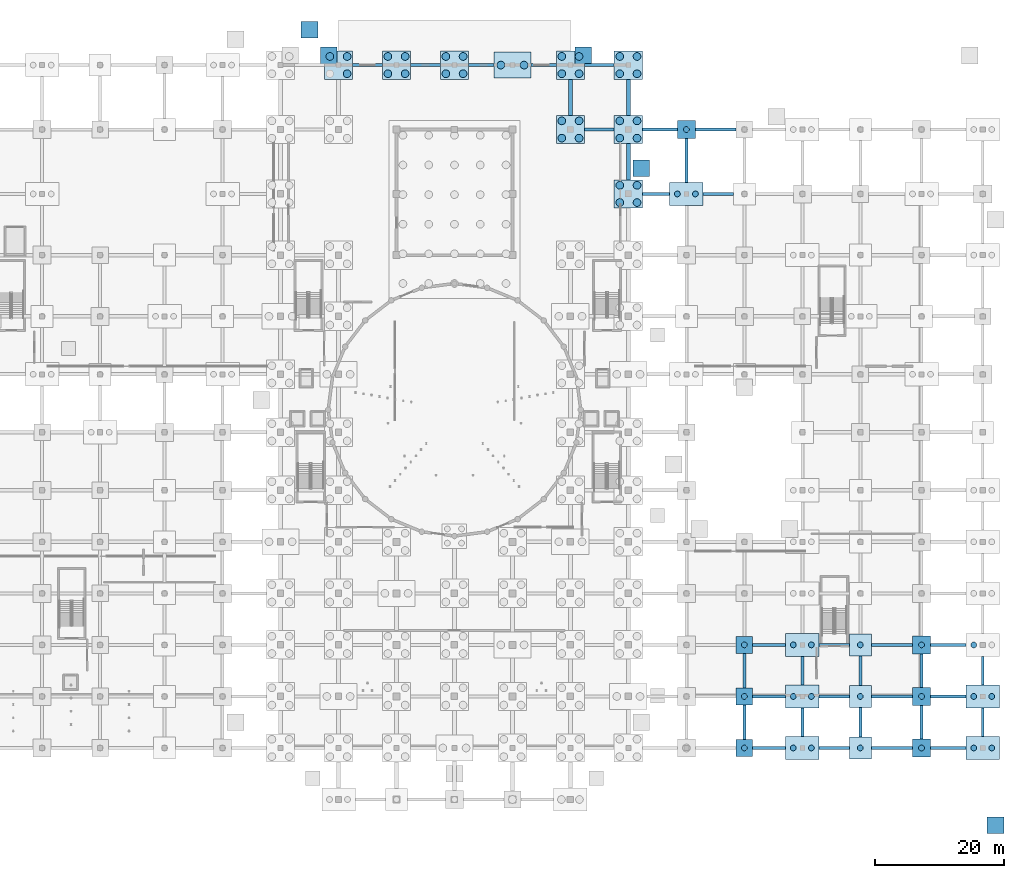
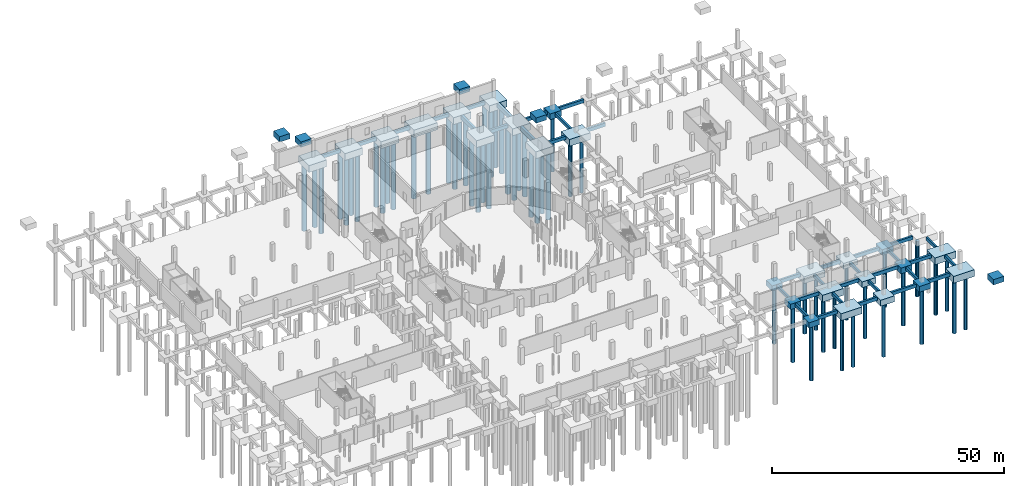
# One storey, part 8 of 40: 66 footings, 56 piles.
"""IFC4 building model written with IfcOpenShell, lengths in metres."""

import ifcopenshell
import ifcopenshell.guid

model = None  # the IFC model being written
_history = None  # IfcOwnerHistory: only IFC2X3 demands one
_inside = {}  # id of a spatial element -> (the spatial element, [elements in it])
_under = {}  # id of a project, library or spatial element -> (it, [spatial elements below it])
_declared = {}  # id of a project -> (the project, [libraries it declares])
_typed = {}  # id of a type object -> (the type object, [elements of that type])
_made_of = {}  # id of a material, layer set ... -> (it, [elements and type objects made of it])


def new_model(schema):
    """Start an empty IFC model of exactly this schema.

    Asked for "IFC4X3", IfcOpenShell would pick the latest addendum, in which some entities
    have other attributes; the version numbers below select the first issue.
    IFC2X3 requires an IfcOwnerHistory on every rooted entity: one is made here for all.
    """
    global model, _history
    if schema == "IFC4X3":
        model = ifcopenshell.file(schema_version=(4, 3, 0, 0))
    else:
        model = ifcopenshell.file(schema=schema)
    _inside.clear()
    _under.clear()
    _declared.clear()
    _typed.clear()
    _made_of.clear()
    _history = None
    if model.schema == "IFC2X3":
        org = make("IfcOrganization", Name="unknown")
        user = make(
            "IfcPersonAndOrganization",
            ThePerson=make("IfcPerson", FamilyName="unknown"),
            TheOrganization=org,
        )
        app = make(
            "IfcApplication",
            ApplicationDeveloper=org,
            Version="unknown",
            ApplicationFullName="unknown",
            ApplicationIdentifier="unknown",
        )
        _history = make(
            "IfcOwnerHistory",
            OwningUser=user,
            OwningApplication=app,
            ChangeAction="ADDED",
            CreationDate=0,
        )
    return model


def make(cls, **values):
    """One entity of the class cls with the attributes given. An attribute that is None is left unset."""
    return model.create_entity(
        cls, **{name: value for name, value in values.items() if value is not None}
    )


def rooted(cls, **values):
    """An entity with a GlobalId (a new one), such as an element, a storey or a relation."""
    return make(cls, GlobalId=ifcopenshell.guid.new(), OwnerHistory=_history, **values)


def si_unit(unit_type, name, prefix=None):
    """IfcSIUnit, for example si_unit("LENGTHUNIT", "METRE", prefix="MILLI")."""
    return make("IfcSIUnit", UnitType=unit_type, Prefix=prefix, Name=name)


def assignment(units):
    """IfcUnitAssignment: the units of a project."""
    return None if units is None else make("IfcUnitAssignment", Units=units)


def point(xyz):
    """IfcCartesianPoint."""
    return None if xyz is None else make("IfcCartesianPoint", Coordinates=xyz)


def direction(xyz):
    """IfcDirection."""
    return None if xyz is None else make("IfcDirection", DirectionRatios=xyz)


def frame(location, z_axis=None, x_axis=None):
    """IfcAxis2Placement3D, a coordinate frame: its origin and axes. An axis left out is left unset."""
    return make(
        "IfcAxis2Placement3D",
        Location=point(location),
        Axis=direction(z_axis),
        RefDirection=direction(x_axis),
    )


def frame_2d(location, x_axis=None):
    """IfcAxis2Placement2D, a coordinate frame in the plane: its origin and x axis."""
    return make(
        "IfcAxis2Placement2D", Location=point(location), RefDirection=direction(x_axis)
    )


def origin():
    """The frame at (0, 0, 0) with its axes left unset."""
    return frame((0.0, 0.0, 0.0))


def origin_2d():
    """The frame at (0, 0) in the plane with its x axis left unset."""
    return frame_2d((0.0, 0.0))


def place(relative_to, where):
    """IfcLocalPlacement: puts the frame where relative to a parent placement (None: the world)."""
    return make(
        "IfcLocalPlacement", PlacementRelTo=relative_to, RelativePlacement=where
    )


def context(
    kind, dimensions, precision=None, world=None, true_north=None, identifier=None
):
    """IfcGeometricRepresentationContext, for example the 3D "Model" context."""
    return make(
        "IfcGeometricRepresentationContext",
        ContextIdentifier=identifier,
        ContextType=kind,
        CoordinateSpaceDimension=dimensions,
        Precision=precision,
        WorldCoordinateSystem=world,
        TrueNorth=true_north,
    )


def subcontext(parent, identifier, kind, view, scale=None):
    """IfcGeometricRepresentationSubContext, for example "Body" below "Model"."""
    return make(
        "IfcGeometricRepresentationSubContext",
        ContextIdentifier=identifier,
        ContextType=kind,
        ParentContext=parent,
        TargetScale=scale,
        TargetView=view,
    )


def project(units=None, contexts=None):
    """IfcProject with its units and contexts."""
    return rooted(
        "IfcProject",
        Name="project",
        RepresentationContexts=contexts,
        UnitsInContext=assignment(units),
    )


def spatial(cls, under=None, at=None, **own):
    """A site, building, storey or space (cls), placed at a placement, below another one or the project."""
    s = rooted(cls, ObjectPlacement=at, **own)
    if under is not None:
        _under.setdefault(under.id(), (under, []))[1].append(s)
    return s


def profile(cls, at=None, kind="AREA", **sizes):
    """A parametric profile (cls). Its sizes go by their IFC names, for example OverallWidth=200.0."""
    return make(cls, ProfileType=kind, Position=at, **sizes)


def rectangle(**sizes):
    """IfcRectangleProfileDef."""
    return profile("IfcRectangleProfileDef", **sizes)


def circle(**sizes):
    """IfcCircleProfileDef."""
    return profile("IfcCircleProfileDef", **sizes)


def extrude(swept, where, along, depth):
    """IfcExtrudedAreaSolid: the profile swept, set in the frame where, extruded along a direction by depth."""
    return make(
        "IfcExtrudedAreaSolid",
        SweptArea=swept,
        Position=where,
        ExtrudedDirection=direction(along),
        Depth=depth,
    )


def shape(context_of_items, identifier, shape_type, items):
    """IfcShapeRepresentation: the items that make up one representation, for example the "Body"."""
    return make(
        "IfcShapeRepresentation",
        ContextOfItems=context_of_items,
        RepresentationIdentifier=identifier,
        RepresentationType=shape_type,
        Items=items,
    )


def material(Name=None, Category=None):
    """IfcMaterial."""
    return make("IfcMaterial", Name=Name, Category=Category)


def layer(
    of_material, thickness, ventilated=None, Name=None, Category=None, Priority=None
):
    """IfcMaterialLayer: one layer of a wall or slab, of a material (None: an air gap)."""
    return make(
        "IfcMaterialLayer",
        Material=of_material,
        LayerThickness=thickness,
        IsVentilated=ventilated,
        Name=Name,
        Category=Category,
        Priority=Priority,
    )


def layer_set(layers, Name=None):
    """IfcMaterialLayerSet."""
    return make("IfcMaterialLayerSet", MaterialLayers=layers, LayerSetName=Name)


def material_profile(
    of_material, cross_section, Name=None, Category=None, Priority=None
):
    """IfcMaterialProfile: a cross section and its material."""
    return make(
        "IfcMaterialProfile",
        Name=Name,
        Material=of_material,
        Profile=cross_section,
        Priority=Priority,
        Category=Category,
    )


def profile_set(profiles, Name=None, composite=None):
    """IfcMaterialProfileSet."""
    return make(
        "IfcMaterialProfileSet",
        Name=Name,
        MaterialProfiles=profiles,
        CompositeProfile=composite,
    )


def made_of(thing, what):
    """Note that an element or type object is made of a material, layer set ...; save() writes the relation."""
    if what is not None:
        _made_of.setdefault(what.id(), (what, []))[1].append(thing)
    return thing


def type_object(cls, material=None, **own):
    """A type object (cls), such as IfcWallType, which elements share."""
    return made_of(rooted(cls, **own), material)


def element(
    cls,
    number,
    at=None,
    inside=None,
    cuts=None,
    type_object=None,
    material=None,
    context=None,
    identifier="Body",
    shape_type=None,
    held_by="IfcProductDefinitionShape",
    body=None,
    shapes=None,
    **own,
):
    """One element of the class cls, such as IfcWall. Its Tag is "e" and its number.

    at: its placement. inside: the storey or other place that contains it. cuts: it is an
    opening in that element (IfcRelVoidsElement). A single representation is given by context,
    identifier, shape_type and body (its items); several are given by shapes. held_by: the class
    of the entity that holds the representations. save() writes the other relations.
    """
    e = rooted(cls, Tag="e%d" % number, ObjectPlacement=at, **own)
    if body is not None:
        shapes = [shape(context, identifier, shape_type, body)]
    if shapes is not None:
        e.Representation = make(held_by, Representations=shapes)
    if inside is not None:
        _inside.setdefault(inside.id(), (inside, []))[1].append(e)
    if cuts is not None:
        rooted(
            "IfcRelVoidsElement", RelatingBuildingElement=cuts, RelatedOpeningElement=e
        )
    if type_object is not None:
        _typed.setdefault(type_object.id(), (type_object, []))[1].append(e)
    return made_of(e, material)


def aggregate(whole, parts):
    """IfcRelAggregates: a whole, such as a stair, and the parts it consists of."""
    return rooted("IfcRelAggregates", RelatingObject=whole, RelatedObjects=parts)


def save(model, path):
    """Write the relations noted so far, then the file.

    IfcRelAggregates (storeys below a building ...), IfcRelContainedInSpatialStructure (elements
    in a storey), IfcRelDefinesByType, IfcRelAssociatesMaterial and IfcRelDeclares: one each for
    every whole, place, type object, material and project.
    """
    for whole, parts in _under.values():
        aggregate(whole, parts)
    for where, things in _inside.values():
        rooted(
            "IfcRelContainedInSpatialStructure",
            RelatedElements=things,
            RelatingStructure=where,
        )
    for kind, things in _typed.values():
        rooted("IfcRelDefinesByType", RelatedObjects=things, RelatingType=kind)
    for what, things in _made_of.values():
        rooted("IfcRelAssociatesMaterial", RelatedObjects=things, RelatingMaterial=what)
    for by, libraries in _declared.values():
        rooted("IfcRelDeclares", RelatingContext=by, RelatedDefinitions=libraries)
    model.write(path)


model = new_model("IFC4")

# Units and contexts
model_context = context("Model", 3, precision=1e-05, world=origin(), true_north=direction((0.0, 1.0)))
body_context = subcontext(model_context, "Body", "Model", "MODEL_VIEW")
ifc_project = project(units=[si_unit("LENGTHUNIT", "METRE"), si_unit("AREAUNIT", "SQUARE_METRE"), si_unit("VOLUMEUNIT", "CUBIC_METRE"), si_unit("PLANEANGLEUNIT", "RADIAN"), si_unit("MASSUNIT", "GRAM", prefix="KILO")], contexts=[model_context])

# Site, building, storey
site_placement = place(None, origin())
site = spatial("IfcSite", under=ifc_project, at=site_placement, CompositionType="ELEMENT")
building_placement = place(site_placement, origin())
building = spatial("IfcBuilding", under=site, at=building_placement, Name="Marnock Terrace Opera House", CompositionType="ELEMENT")
storey_placement = place(building_placement, frame((0.0, 0.0, -4.800048828125)))
storey = spatial("IfcBuildingStorey", under=building, at=storey_placement, Name="B1", CompositionType="ELEMENT", Elevation=-4.800048828125)

# Footings
ifc_material = material(Name="Concrete N40 (f'c = 40 MPa)", Category="concrete")
ifc_layer_1 = layer(ifc_material, 1.39990234375)
ifc_layer_set_1 = layer_set([ifc_layer_1], Name="Concrete N40 (f'c = 40 MPa)")
footing_type_1 = type_object("IfcFootingType", Name="FT-CAP-2600", PredefinedType="PILE_CAP", material=ifc_layer_set_1)
for number, where, z_axis, x_axis, name in (
    (1, (127.0, 8.0, -1.7998046875), (0.0, 0.0, 1.0), (1.0, 0.0, 0.0), "Pile cap FT-CAP-161"),
    (2, (127.0, 16.0, -1.7998046875), (0.0, 0.0, 1.0), (1.0, 0.0, 0.0), "Pile cap FT-CAP-162"),
    (3, (127.0, 24.0, -1.7998046875), (0.0, 0.0, 1.0), (1.0, 0.0, 0.0), "Pile cap FT-CAP-163"),
):
    element("IfcFooting", number, at=place(storey_placement, frame(where, z_axis=z_axis, x_axis=x_axis)), inside=storey, type_object=footing_type_1, Name=name, PredefinedType="PILE_CAP", context=body_context, shape_type="SweptSolid", body=[
        extrude(rectangle(XDim=2.60009765625, YDim=2.60009765625, at=origin_2d()), origin(), (0.0, 0.0, 1.0), 1.39990234375),
    ])
ifc_layer_2 = layer(ifc_material, 1.5)
ifc_layer_set_2 = layer_set([ifc_layer_2], Name="Concrete N40 (f'c = 40 MPa)")
footing_type_2 = type_object("IfcFootingType", Name="FT-CAP-2800", PredefinedType="PILE_CAP", material=ifc_layer_set_2)
for number, where, z_axis, x_axis, name in (
    (4, (118.0, 104.0, -1.89990234375), (0.0, 0.0, 1.0), (1.0, 0.0, 0.0), "Pile cap FT-CAP-160"),
    (5, (154.5, 8.0, -1.89990234375), (0.0, 0.0, 1.0), (1.0, 0.0, 0.0), "Pile cap FT-CAP-195"),
    (6, (154.5, 16.0, -1.89990234375), (0.0, 0.0, 1.0), (1.0, 0.0, 0.0), "Pile cap FT-CAP-196"),
    (7, (154.5, 24.0, -1.89990234375), (0.0, 0.0, 1.0), (1.0, 0.0, 0.0), "Pile cap FT-CAP-197"),
):
    element("IfcFooting", number, at=place(storey_placement, frame(where, z_axis=z_axis, x_axis=x_axis)), inside=storey, type_object=footing_type_2, Name=name, PredefinedType="PILE_CAP", context=body_context, shape_type="SweptSolid", body=[
        extrude(rectangle(XDim=2.800048828125, YDim=2.800048828125, at=origin_2d()), origin(), (0.0, 0.0, 1.0), 1.5),
    ])
ifc_layer_3 = layer(ifc_material, 1.550048828125)
ifc_layer_set_3 = layer_set([ifc_layer_3], Name="Concrete N40 (f'c = 40 MPa)")
footing_type_3 = type_object("IfcFootingType", Name="FT-CAP-3400", PredefinedType="PILE_CAP", material=ifc_layer_set_3)
for number, where, z_axis, x_axis, name in (
    (8, (145.0, 8.0, -1.9501953125), (0.0, 0.0, 1.0), (1.0, 0.0, 0.0), "Pile cap FT-CAP-183"),
    (9, (145.0, 16.0, -1.9501953125), (0.0, 0.0, 1.0), (1.0, 0.0, 0.0), "Pile cap FT-CAP-184"),
    (10, (145.0, 24.0, -1.9501953125), (0.0, 0.0, 1.0), (1.0, 0.0, 0.0), "Pile cap FT-CAP-185"),
):
    element("IfcFooting", number, at=place(storey_placement, frame(where, z_axis=z_axis, x_axis=x_axis)), inside=storey, type_object=footing_type_3, Name=name, PredefinedType="PILE_CAP", context=body_context, shape_type="SweptSolid", body=[
        extrude(rectangle(XDim=3.39990234375, YDim=3.39990234375, at=origin_2d()), origin(), (0.0, 0.0, 1.0), 1.550048828125),
    ])
ifc_layer_4 = layer(ifc_material, 1.800048828125)
ifc_layer_set_4 = layer_set([ifc_layer_4], Name="Concrete N40 (f'c = 40 MPa)")
footing_type_4 = type_object("IfcFootingType", Name="FT-CAP-4400", PredefinedType="PILE_CAP", material=ifc_layer_set_4)
for number, where, z_axis, x_axis, name in (
    (11, (64.0, 114.0, -2.2001953125), (0.0, 0.0, 1.0), (1.0, 0.0, 0.0), "Pile cap FT-CAP-102"),
    (12, (73.0, 114.0, -2.2001953125), (0.0, 0.0, 1.0), (1.0, 0.0, 0.0), "Pile cap FT-CAP-109"),
    (13, (82.0, 114.0, -2.2001953125), (0.0, 0.0, 1.0), (1.0, 0.0, 0.0), "Pile cap FT-CAP-115"),
    (14, (100.0, 104.0, -2.2001953125), (0.0, 0.0, 1.0), (1.0, 0.0, 0.0), "Pile cap FT-CAP-134"),
    (15, (100.0, 114.0, -2.2001953125), (0.0, 0.0, 1.0), (1.0, 0.0, 0.0), "Pile cap FT-CAP-135"),
    (16, (109.0, 94.0, -2.2001953125), (0.0, 0.0, 1.0), (1.0, 0.0, 0.0), "Pile cap FT-CAP-146"),
    (17, (109.0, 104.0, -2.2001953125), (0.0, 0.0, 1.0), (1.0, 0.0, 0.0), "Pile cap FT-CAP-147"),
    (18, (109.0, 114.0, -2.2001953125), (0.0, 0.0, 1.0), (1.0, 0.0, 0.0), "Pile cap FT-CAP-148"),
):
    element("IfcFooting", number, at=place(storey_placement, frame(where, z_axis=z_axis, x_axis=x_axis)), inside=storey, type_object=footing_type_4, Name=name, PredefinedType="PILE_CAP", context=body_context, shape_type="SweptSolid", body=[
        extrude(rectangle(XDim=4.39990234375, YDim=4.39990234375, at=origin_2d()), origin(), (0.0, 0.0, 1.0), 1.800048828125),
    ])
ifc_layer_5 = layer(ifc_material, 1.800048828125)
ifc_layer_set_5 = layer_set([ifc_layer_5], Name="Concrete N40 (f'c = 40 MPa)")
footing_type_5 = type_object("IfcFootingType", Name="FT-CAP-5200", PredefinedType="PILE_CAP", material=ifc_layer_set_5)
for number, where, z_axis, x_axis, name in (
    (19, (118.0, 94.0, -2.2001953125), (0.0, 0.0, 1.0), (1.0, 0.0, 0.0), "Pile cap FT-CAP-159"),
    (20, (136.0, 8.0, -2.2001953125), (0.0, 0.0, 1.0), (1.0, 0.0, 0.0), "Pile cap FT-CAP-171"),
    (21, (136.0, 16.0, -2.2001953125), (0.0, 0.0, 1.0), (1.0, 0.0, 0.0), "Pile cap FT-CAP-172"),
    (22, (136.0, 24.0, -2.2001953125), (0.0, 0.0, 1.0), (1.0, 0.0, 0.0), "Pile cap FT-CAP-173"),
    (23, (164.0, 8.0, -2.2001953125), (0.0, 0.0, 1.0), (1.0, 0.0, 0.0), "Pile cap FT-CAP-207"),
    (24, (164.0, 16.0, -2.2001953125), (0.0, 0.0, 1.0), (1.0, 0.0, 0.0), "Pile cap FT-CAP-208"),
):
    element("IfcFooting", number, at=place(storey_placement, frame(where, z_axis=z_axis, x_axis=x_axis)), inside=storey, type_object=footing_type_5, Name=name, PredefinedType="PILE_CAP", context=body_context, shape_type="SweptSolid", body=[
        extrude(rectangle(XDim=5.199951171875, YDim=3.60009765625, at=origin_2d()), origin(), (0.0, 0.0, 1.0), 1.800048828125),
    ])
ifc_layer_6 = layer(ifc_material, 1.89990234375)
ifc_layer_set_6 = layer_set([ifc_layer_6], Name="Concrete N40 (f'c = 40 MPa)")
footing_type_6 = type_object("IfcFootingType", Name="FT-CAP-5800", PredefinedType="PILE_CAP", material=ifc_layer_set_6)
footing_1_placement = place(storey_placement, frame((91.0, 114.0, -2.2998046875), z_axis=(0.0, 0.0, 1.0), x_axis=(1.0, 0.0, 0.0)))
element("IfcFooting", 25, at=footing_1_placement, inside=storey, type_object=footing_type_6, Name="Pile cap FT-CAP-122", PredefinedType="PILE_CAP", context=body_context, shape_type="SweptSolid", body=[
    extrude(rectangle(XDim=5.800048828125, YDim=4.0, at=origin_2d()), origin(), (0.0, 0.0, 1.0), 1.89990234375),
])
ifc_material_profile_1 = material_profile(ifc_material, rectangle(XDim=0.449951171875, YDim=0.800048828125, at=origin_2d()))
ifc_profile_set_1 = profile_set([ifc_material_profile_1], Name="Concrete N40 (f'c = 40 MPa)")
footing_type_7 = type_object("IfcFootingType", Name="FT-GB-450", PredefinedType="FOOTING_BEAM", material=ifc_profile_set_1)
footing_2_placement = place(storey_placement, frame((118.0, 95.800048828125, -0.949951171875), z_axis=(0.0, 1.0, 0.0), x_axis=(-1.0, 0.0, 0.0)))
element("IfcFooting", 26, at=footing_2_placement, inside=storey, type_object=footing_type_7, Name="Ground tie beam Y-140", PredefinedType="FOOTING_BEAM", context=body_context, shape_type="SweptSolid", body=[
    extrude(rectangle(XDim=0.449951171875, YDim=0.800048828125, at=origin_2d()), origin(), (0.0, 0.0, 1.0), 6.800048828125),
])
for number, where, z_axis, x_axis, name in (
    (27, (127.0, 9.300048828125, -0.949951171875), (0.0, 1.0, 0.0), (-1.0, 0.0, 0.0), "Ground tie beam Y-141"),
    (28, (127.0, 17.300048828125, -0.949951171875), (0.0, 1.0, 0.0), (-1.0, 0.0, 0.0), "Ground tie beam Y-142"),
):
    element("IfcFooting", number, at=place(storey_placement, frame(where, z_axis=z_axis, x_axis=x_axis)), inside=storey, type_object=footing_type_7, Name=name, PredefinedType="FOOTING_BEAM", context=body_context, shape_type="SweptSolid", body=[
        extrude(rectangle(XDim=0.449951171875, YDim=0.800048828125, at=origin_2d()), origin(), (0.0, 0.0, 1.0), 5.39990234375),
    ])
for number, where, z_axis, x_axis, name in (
    (29, (136.0, 9.800048828125, -0.949951171875), (0.0, 1.0, 0.0), (-1.0, 0.0, 0.0), "Ground tie beam Y-149"),
    (30, (136.0, 17.800048828125, -0.949951171875), (0.0, 1.0, 0.0), (-1.0, 0.0, 0.0), "Ground tie beam Y-150"),
):
    element("IfcFooting", number, at=place(storey_placement, frame(where, z_axis=z_axis, x_axis=x_axis)), inside=storey, type_object=footing_type_7, Name=name, PredefinedType="FOOTING_BEAM", context=body_context, shape_type="SweptSolid", body=[
        extrude(rectangle(XDim=0.449951171875, YDim=0.800048828125, at=origin_2d()), origin(), (0.0, 0.0, 1.0), 4.39990234375),
    ])
for number, where, z_axis, x_axis, name in (
    (31, (145.0, 9.699951171875, -0.949951171875), (0.0, 1.0, 0.0), (-1.0, 0.0, 0.0), "Ground tie beam Y-160"),
    (32, (145.0, 17.699951171875, -0.949951171875), (0.0, 1.0, 0.0), (-1.0, 0.0, 0.0), "Ground tie beam Y-161"),
):
    element("IfcFooting", number, at=place(storey_placement, frame(where, z_axis=z_axis, x_axis=x_axis)), inside=storey, type_object=footing_type_7, Name=name, PredefinedType="FOOTING_BEAM", context=body_context, shape_type="SweptSolid", body=[
        extrude(rectangle(XDim=0.449951171875, YDim=0.800048828125, at=origin_2d()), origin(), (0.0, 0.0, 1.0), 4.60009765625),
    ])
for number, where, z_axis, x_axis, name in (
    (33, (154.5, 9.39990234375, -0.949951171875), (0.0, 1.0, 0.0), (-1.0, 0.0, 0.0), "Ground tie beam Y-171"),
    (34, (154.5, 17.39990234375, -0.949951171875), (0.0, 1.0, 0.0), (-1.0, 0.0, 0.0), "Ground tie beam Y-172"),
):
    element("IfcFooting", number, at=place(storey_placement, frame(where, z_axis=z_axis, x_axis=x_axis)), inside=storey, type_object=footing_type_7, Name=name, PredefinedType="FOOTING_BEAM", context=body_context, shape_type="SweptSolid", body=[
        extrude(rectangle(XDim=0.449951171875, YDim=0.800048828125, at=origin_2d()), origin(), (0.0, 0.0, 1.0), 5.2001953125),
    ])
for number, where, z_axis, x_axis, name in (
    (35, (164.0, 9.800048828125, -0.949951171875), (0.0, 1.0, 0.0), (-1.0, 0.0, 0.0), "Ground tie beam Y-182"),
    (36, (164.0, 17.800048828125, -0.949951171875), (0.0, 1.0, 0.0), (-1.0, 0.0, 0.0), "Ground tie beam Y-183"),
):
    element("IfcFooting", number, at=place(storey_placement, frame(where, z_axis=z_axis, x_axis=x_axis)), inside=storey, type_object=footing_type_7, Name=name, PredefinedType="FOOTING_BEAM", context=body_context, shape_type="SweptSolid", body=[
        extrude(rectangle(XDim=0.449951171875, YDim=0.800048828125, at=origin_2d()), origin(), (0.0, 0.0, 1.0), 4.39990234375),
    ])
ifc_material_profile_2 = material_profile(ifc_material, rectangle(XDim=0.5, YDim=0.89990234375, at=origin_2d()))
ifc_profile_set_2 = profile_set([ifc_material_profile_2], Name="Concrete N40 (f'c = 40 MPa)")
footing_type_8 = type_object("IfcFootingType", Name="FT-GB-500", PredefinedType="FOOTING_BEAM", material=ifc_profile_set_2)
footing_3_placement = place(storey_placement, frame((128.300048828125, 8.0, -0.849853515625), z_axis=(1.0, 0.0, 0.0), x_axis=(0.0, 1.0, 0.0)))
element("IfcFooting", 37, at=footing_3_placement, inside=storey, type_object=footing_type_8, Name="Ground tie beam X-211", PredefinedType="FOOTING_BEAM", context=body_context, shape_type="SweptSolid", body=[
    extrude(rectangle(XDim=0.5, YDim=0.89990234375, at=origin_2d()), origin(), (0.0, 0.0, 1.0), 5.099853515625),
])
footing_4_placement = place(storey_placement, frame((138.60009765625, 8.0, -0.849853515625), z_axis=(1.0, 0.0, 0.0), x_axis=(0.0, 1.0, 0.0)))
element("IfcFooting", 38, at=footing_4_placement, inside=storey, type_object=footing_type_8, Name="Ground tie beam X-212", PredefinedType="FOOTING_BEAM", context=body_context, shape_type="SweptSolid", body=[
    extrude(rectangle(XDim=0.5, YDim=0.89990234375, at=origin_2d()), origin(), (0.0, 0.0, 1.0), 4.699951171875),
])
footing_5_placement = place(storey_placement, frame((146.699951171875, 8.0, -0.849853515625), z_axis=(1.0, 0.0, 0.0), x_axis=(0.0, 1.0, 0.0)))
element("IfcFooting", 39, at=footing_5_placement, inside=storey, type_object=footing_type_8, Name="Ground tie beam X-213", PredefinedType="FOOTING_BEAM", context=body_context, shape_type="SweptSolid", body=[
    extrude(rectangle(XDim=0.5, YDim=0.89990234375, at=origin_2d()), origin(), (0.0, 0.0, 1.0), 6.400146484375),
])
footing_6_placement = place(storey_placement, frame((155.89990234375, 8.0, -0.849853515625), z_axis=(1.0, 0.0, 0.0), x_axis=(0.0, 1.0, 0.0)))
element("IfcFooting", 40, at=footing_6_placement, inside=storey, type_object=footing_type_8, Name="Ground tie beam X-214", PredefinedType="FOOTING_BEAM", context=body_context, shape_type="SweptSolid", body=[
    extrude(rectangle(XDim=0.5, YDim=0.89990234375, at=origin_2d()), origin(), (0.0, 0.0, 1.0), 5.5),
])
footing_7_placement = place(storey_placement, frame((128.300048828125, 16.0, -0.849853515625), z_axis=(1.0, 0.0, 0.0), x_axis=(0.0, 1.0, 0.0)))
element("IfcFooting", 41, at=footing_7_placement, inside=storey, type_object=footing_type_8, Name="Ground tie beam X-229", PredefinedType="FOOTING_BEAM", context=body_context, shape_type="SweptSolid", body=[
    extrude(rectangle(XDim=0.5, YDim=0.89990234375, at=origin_2d()), origin(), (0.0, 0.0, 1.0), 5.099853515625),
])
footing_8_placement = place(storey_placement, frame((138.60009765625, 16.0, -0.849853515625), z_axis=(1.0, 0.0, 0.0), x_axis=(0.0, 1.0, 0.0)))
element("IfcFooting", 42, at=footing_8_placement, inside=storey, type_object=footing_type_8, Name="Ground tie beam X-230", PredefinedType="FOOTING_BEAM", context=body_context, shape_type="SweptSolid", body=[
    extrude(rectangle(XDim=0.5, YDim=0.89990234375, at=origin_2d()), origin(), (0.0, 0.0, 1.0), 4.699951171875),
])
footing_9_placement = place(storey_placement, frame((146.699951171875, 16.0, -0.849853515625), z_axis=(1.0, 0.0, 0.0), x_axis=(0.0, 1.0, 0.0)))
element("IfcFooting", 43, at=footing_9_placement, inside=storey, type_object=footing_type_8, Name="Ground tie beam X-231", PredefinedType="FOOTING_BEAM", context=body_context, shape_type="SweptSolid", body=[
    extrude(rectangle(XDim=0.5, YDim=0.89990234375, at=origin_2d()), origin(), (0.0, 0.0, 1.0), 6.400146484375),
])
footing_10_placement = place(storey_placement, frame((155.89990234375, 16.0, -0.849853515625), z_axis=(1.0, 0.0, 0.0), x_axis=(0.0, 1.0, 0.0)))
element("IfcFooting", 44, at=footing_10_placement, inside=storey, type_object=footing_type_8, Name="Ground tie beam X-232", PredefinedType="FOOTING_BEAM", context=body_context, shape_type="SweptSolid", body=[
    extrude(rectangle(XDim=0.5, YDim=0.89990234375, at=origin_2d()), origin(), (0.0, 0.0, 1.0), 5.5),
])
footing_11_placement = place(storey_placement, frame((128.300048828125, 24.0, -0.849853515625), z_axis=(1.0, 0.0, 0.0), x_axis=(0.0, 1.0, 0.0)))
element("IfcFooting", 45, at=footing_11_placement, inside=storey, type_object=footing_type_8, Name="Ground tie beam X-247", PredefinedType="FOOTING_BEAM", context=body_context, shape_type="SweptSolid", body=[
    extrude(rectangle(XDim=0.5, YDim=0.89990234375, at=origin_2d()), origin(), (0.0, 0.0, 1.0), 5.099853515625),
])
footing_12_placement = place(storey_placement, frame((138.60009765625, 24.0, -0.849853515625), z_axis=(1.0, 0.0, 0.0), x_axis=(0.0, 1.0, 0.0)))
element("IfcFooting", 46, at=footing_12_placement, inside=storey, type_object=footing_type_8, Name="Ground tie beam X-248", PredefinedType="FOOTING_BEAM", context=body_context, shape_type="SweptSolid", body=[
    extrude(rectangle(XDim=0.5, YDim=0.89990234375, at=origin_2d()), origin(), (0.0, 0.0, 1.0), 4.699951171875),
])
footing_13_placement = place(storey_placement, frame((146.699951171875, 24.0, -0.849853515625), z_axis=(1.0, 0.0, 0.0), x_axis=(0.0, 1.0, 0.0)))
element("IfcFooting", 47, at=footing_13_placement, inside=storey, type_object=footing_type_8, Name="Ground tie beam X-249", PredefinedType="FOOTING_BEAM", context=body_context, shape_type="SweptSolid", body=[
    extrude(rectangle(XDim=0.5, YDim=0.89990234375, at=origin_2d()), origin(), (0.0, 0.0, 1.0), 6.400146484375),
])
footing_14_placement = place(storey_placement, frame((155.89990234375, 24.0, -0.849853515625), z_axis=(1.0, 0.0, 0.0), x_axis=(0.0, 1.0, 0.0)))
element("IfcFooting", 48, at=footing_14_placement, inside=storey, type_object=footing_type_8, Name="Ground tie beam X-250", PredefinedType="FOOTING_BEAM", context=body_context, shape_type="SweptSolid", body=[
    extrude(rectangle(XDim=0.5, YDim=0.89990234375, at=origin_2d()), origin(), (0.0, 0.0, 1.0), 5.5),
])
footing_15_placement = place(storey_placement, frame((111.199951171875, 94.0, -0.849853515625), z_axis=(1.0, 0.0, 0.0), x_axis=(0.0, 1.0, 0.0)))
element("IfcFooting", 49, at=footing_15_placement, inside=storey, type_object=footing_type_8, Name="Ground tie beam X-354", PredefinedType="FOOTING_BEAM", context=body_context, shape_type="SweptSolid", body=[
    extrude(rectangle(XDim=0.5, YDim=0.89990234375, at=origin_2d()), origin(), (0.0, 0.0, 1.0), 4.199951171875),
])
footing_16_placement = place(storey_placement, frame((120.60009765625, 94.0, -0.849853515625), z_axis=(1.0, 0.0, 0.0), x_axis=(0.0, 1.0, 0.0)))
element("IfcFooting", 50, at=footing_16_placement, inside=storey, type_object=footing_type_8, Name="Ground tie beam X-355", PredefinedType="FOOTING_BEAM", context=body_context, shape_type="SweptSolid", body=[
    extrude(rectangle(XDim=0.5, YDim=0.89990234375, at=origin_2d()), origin(), (0.0, 0.0, 1.0), 4.699951171875),
])
footing_17_placement = place(storey_placement, frame((102.199951171875, 104.0, -0.849853515625), z_axis=(1.0, 0.0, 0.0), x_axis=(0.0, 1.0, 0.0)))
element("IfcFooting", 51, at=footing_17_placement, inside=storey, type_object=footing_type_8, Name="Ground tie beam X-367", PredefinedType="FOOTING_BEAM", context=body_context, shape_type="SweptSolid", body=[
    extrude(rectangle(XDim=0.5, YDim=0.89990234375, at=origin_2d()), origin(), (0.0, 0.0, 1.0), 4.60009765625),
])
footing_18_placement = place(storey_placement, frame((111.199951171875, 104.0, -0.849853515625), z_axis=(1.0, 0.0, 0.0), x_axis=(0.0, 1.0, 0.0)))
element("IfcFooting", 52, at=footing_18_placement, inside=storey, type_object=footing_type_8, Name="Ground tie beam X-368", PredefinedType="FOOTING_BEAM", context=body_context, shape_type="SweptSolid", body=[
    extrude(rectangle(XDim=0.5, YDim=0.89990234375, at=origin_2d()), origin(), (0.0, 0.0, 1.0), 5.400146484375),
])
footing_19_placement = place(storey_placement, frame((119.39990234375, 104.0, -0.849853515625), z_axis=(1.0, 0.0, 0.0), x_axis=(0.0, 1.0, 0.0)))
element("IfcFooting", 53, at=footing_19_placement, inside=storey, type_object=footing_type_8, Name="Ground tie beam X-369", PredefinedType="FOOTING_BEAM", context=body_context, shape_type="SweptSolid", body=[
    extrude(rectangle(XDim=0.5, YDim=0.89990234375, at=origin_2d()), origin(), (0.0, 0.0, 1.0), 6.300048828125),
])
for number, where, z_axis, x_axis, name in (
    (54, (66.199951171875, 114.0, -0.849853515625), (1.0, 0.0, 0.0), (0.0, 1.0, 0.0), "Ground tie beam X-381"),
    (55, (75.199951171875, 114.0, -0.849853515625), (1.0, 0.0, 0.0), (0.0, 1.0, 0.0), "Ground tie beam X-382"),
):
    element("IfcFooting", number, at=place(storey_placement, frame(where, z_axis=z_axis, x_axis=x_axis)), inside=storey, type_object=footing_type_8, Name=name, PredefinedType="FOOTING_BEAM", context=body_context, shape_type="SweptSolid", body=[
        extrude(rectangle(XDim=0.5, YDim=0.89990234375, at=origin_2d()), origin(), (0.0, 0.0, 1.0), 4.60009765625),
    ])
for number, where, z_axis, x_axis, name in (
    (56, (84.199951171875, 114.0, -0.849853515625), (1.0, 0.0, 0.0), (0.0, 1.0, 0.0), "Ground tie beam X-383"),
    (57, (93.89990234375, 114.0, -0.849853515625), (1.0, 0.0, 0.0), (0.0, 1.0, 0.0), "Ground tie beam X-384"),
):
    element("IfcFooting", number, at=place(storey_placement, frame(where, z_axis=z_axis, x_axis=x_axis)), inside=storey, type_object=footing_type_8, Name=name, PredefinedType="FOOTING_BEAM", context=body_context, shape_type="SweptSolid", body=[
        extrude(rectangle(XDim=0.5, YDim=0.89990234375, at=origin_2d()), origin(), (0.0, 0.0, 1.0), 3.900146484375),
    ])
footing_20_placement = place(storey_placement, frame((102.199951171875, 114.0, -0.849853515625), z_axis=(1.0, 0.0, 0.0), x_axis=(0.0, 1.0, 0.0)))
element("IfcFooting", 58, at=footing_20_placement, inside=storey, type_object=footing_type_8, Name="Ground tie beam X-385", PredefinedType="FOOTING_BEAM", context=body_context, shape_type="SweptSolid", body=[
    extrude(rectangle(XDim=0.5, YDim=0.89990234375, at=origin_2d()), origin(), (0.0, 0.0, 1.0), 4.60009765625),
])
ifc_material_profile_3 = material_profile(ifc_material, rectangle(XDim=0.60009765625, YDim=1.10009765625, at=origin_2d()))
ifc_profile_set_3 = profile_set([ifc_material_profile_3], Name="Concrete N40 (f'c = 40 MPa)")
footing_type_9 = type_object("IfcFootingType", Name="FT-GB-600", PredefinedType="FOOTING_BEAM", material=ifc_profile_set_3)
for number, where, z_axis, x_axis, name in (
    (59, (100.0, 106.199951171875, -0.949951171875), (0.0, 1.0, 0.0), (-1.0, 0.0, 0.0), "Ground tie beam Y-117"),
    (60, (109.0, 96.199951171875, -0.949951171875), (0.0, 1.0, 0.0), (-1.0, 0.0, 0.0), "Ground tie beam Y-128"),
    (61, (109.0, 106.199951171875, -0.949951171875), (0.0, 1.0, 0.0), (-1.0, 0.0, 0.0), "Ground tie beam Y-129"),
):
    element("IfcFooting", number, at=place(storey_placement, frame(where, z_axis=z_axis, x_axis=x_axis)), inside=storey, type_object=footing_type_9, Name=name, PredefinedType="FOOTING_BEAM", context=body_context, shape_type="SweptSolid", body=[
        extrude(rectangle(XDim=0.60009765625, YDim=1.10009765625, at=origin_2d()), origin(), (0.0, 0.0, 1.0), 5.60009765625),
    ])
ifc_layer_7 = layer(ifc_material, 1.39990234375)
ifc_layer_set_7 = layer_set([ifc_layer_7], Name="Concrete N40 (f'c = 40 MPa)")
footing_type_10 = type_object("IfcFootingType", Name="FT-PAD-2600", PredefinedType="PAD_FOOTING", material=ifc_layer_set_7)
for number, where, z_axis, x_axis, name in (
    (62, (62.5, 115.5, 3.16015625), (0.0, 0.0, 1.0), (1.0, 0.0, 0.0), "Upper-terrace grade pad footing FT-APR-NW2"),
    (63, (59.5, 119.5, 3.16015625), (0.0, 0.0, 1.0), (1.0, 0.0, 0.0), "Upper-terrace grade pad footing FT-APR-NW3"),
    (64, (102.0, 115.5, 3.16015625), (0.0, 0.0, 1.0), (1.0, 0.0, 0.0), "Upper-terrace grade pad footing FT-APR-NE1"),
    (65, (166.0, -4.0, 3.16015625), (0.0, 0.0, 1.0), (1.0, 0.0, 0.0), "Upper-terrace grade pad footing FT-APR-S2"),
    (66, (111.0, 98.0, 3.16015625), (0.0, 0.0, 1.0), (1.0, 0.0, 0.0), "Upper-terrace grade pad footing FT-APR-PS3"),
):
    element("IfcFooting", number, at=place(storey_placement, frame(where, z_axis=z_axis, x_axis=x_axis)), inside=storey, type_object=footing_type_10, Name=name, PredefinedType="PAD_FOOTING", context=body_context, shape_type="SweptSolid", body=[
        extrude(rectangle(XDim=2.60009765625, YDim=2.60009765625, at=origin_2d()), origin(), (0.0, 0.0, 1.0), 1.39990234375),
    ])

# Piles
ifc_material_profile_4 = material_profile(ifc_material, circle(Radius=0.6005859375, at=origin_2d()))
ifc_profile_set_4 = profile_set([ifc_material_profile_4], Name="Concrete N40 (f'c = 40 MPa)")
pile_type_1 = type_object("IfcPileType", Name="PILE-CFA-1200", PredefinedType="BORED", material=ifc_profile_set_4)
for number, where, z_axis, x_axis, name in (
    (67, (65.340087890625, 112.659912109375, -2.099853515625), (0.0, 0.0, -1.0), (1.0, 0.0, 0.0), "Bored CFA pile 102.2"),
    (68, (62.659912109375, 115.340087890625, -2.099853515625), (0.0, 0.0, -1.0), (1.0, 0.0, 0.0), "Bored CFA pile 102.3"),
    (69, (65.340087890625, 115.340087890625, -2.099853515625), (0.0, 0.0, -1.0), (1.0, 0.0, 0.0), "Bored CFA pile 102.4"),
    (70, (71.659912109375, 112.659912109375, -2.099853515625), (0.0, 0.0, -1.0), (1.0, 0.0, 0.0), "Bored CFA pile 109.1"),
    (71, (74.340087890625, 112.659912109375, -2.099853515625), (0.0, 0.0, -1.0), (1.0, 0.0, 0.0), "Bored CFA pile 109.2"),
    (72, (71.659912109375, 115.340087890625, -2.099853515625), (0.0, 0.0, -1.0), (1.0, 0.0, 0.0), "Bored CFA pile 109.3"),
    (73, (74.340087890625, 115.340087890625, -2.099853515625), (0.0, 0.0, -1.0), (1.0, 0.0, 0.0), "Bored CFA pile 109.4"),
    (74, (80.659912109375, 112.659912109375, -2.099853515625), (0.0, 0.0, -1.0), (1.0, 0.0, 0.0), "Bored CFA pile 115.1"),
    (75, (83.340087890625, 112.659912109375, -2.099853515625), (0.0, 0.0, -1.0), (1.0, 0.0, 0.0), "Bored CFA pile 115.2"),
    (76, (80.659912109375, 115.340087890625, -2.099853515625), (0.0, 0.0, -1.0), (1.0, 0.0, 0.0), "Bored CFA pile 115.3"),
    (77, (83.340087890625, 115.340087890625, -2.099853515625), (0.0, 0.0, -1.0), (1.0, 0.0, 0.0), "Bored CFA pile 115.4"),
):
    element("IfcPile", number, at=place(storey_placement, frame(where, z_axis=z_axis, x_axis=x_axis)), inside=storey, type_object=pile_type_1, Name=name, PredefinedType="BORED", context=body_context, shape_type="SweptSolid", body=[
        extrude(circle(Radius=0.6005859375, at=origin_2d()), origin(), (0.0, 0.0, 1.0), 17.60009765625),
    ])
for number, where, z_axis, x_axis, name in (
    (78, (89.199951171875, 114.0, -2.199951171875), (0.0, 0.0, -1.0), (1.0, 0.0, 0.0), "Bored CFA pile 122.1"),
    (79, (92.800048828125, 114.0, -2.199951171875), (0.0, 0.0, -1.0), (1.0, 0.0, 0.0), "Bored CFA pile 122.2"),
):
    element("IfcPile", number, at=place(storey_placement, frame(where, z_axis=z_axis, x_axis=x_axis)), inside=storey, type_object=pile_type_1, Name=name, PredefinedType="BORED", context=body_context, shape_type="SweptSolid", body=[
        extrude(circle(Radius=0.6005859375, at=origin_2d()), origin(), (0.0, 0.0, 1.0), 17.5),
    ])
for number, where, z_axis, x_axis, name in (
    (80, (98.659912109375, 102.659912109375, -2.099853515625), (0.0, 0.0, -1.0), (1.0, 0.0, 0.0), "Bored CFA pile 134.1"),
    (81, (101.340087890625, 102.659912109375, -2.099853515625), (0.0, 0.0, -1.0), (1.0, 0.0, 0.0), "Bored CFA pile 134.2"),
    (82, (98.659912109375, 105.340087890625, -2.099853515625), (0.0, 0.0, -1.0), (1.0, 0.0, 0.0), "Bored CFA pile 134.3"),
    (83, (101.340087890625, 105.340087890625, -2.099853515625), (0.0, 0.0, -1.0), (1.0, 0.0, 0.0), "Bored CFA pile 134.4"),
    (84, (98.659912109375, 112.659912109375, -2.099853515625), (0.0, 0.0, -1.0), (1.0, 0.0, 0.0), "Bored CFA pile 135.1"),
    (85, (101.340087890625, 112.659912109375, -2.099853515625), (0.0, 0.0, -1.0), (1.0, 0.0, 0.0), "Bored CFA pile 135.2"),
    (86, (98.659912109375, 115.340087890625, -2.099853515625), (0.0, 0.0, -1.0), (1.0, 0.0, 0.0), "Bored CFA pile 135.3"),
    (87, (101.340087890625, 115.340087890625, -2.099853515625), (0.0, 0.0, -1.0), (1.0, 0.0, 0.0), "Bored CFA pile 135.4"),
    (88, (107.659912109375, 92.659912109375, -2.099853515625), (0.0, 0.0, -1.0), (1.0, 0.0, 0.0), "Bored CFA pile 146.1"),
    (89, (110.340087890625, 92.659912109375, -2.099853515625), (0.0, 0.0, -1.0), (1.0, 0.0, 0.0), "Bored CFA pile 146.2"),
    (90, (107.659912109375, 95.340087890625, -2.099853515625), (0.0, 0.0, -1.0), (1.0, 0.0, 0.0), "Bored CFA pile 146.3"),
    (91, (110.340087890625, 95.340087890625, -2.099853515625), (0.0, 0.0, -1.0), (1.0, 0.0, 0.0), "Bored CFA pile 146.4"),
    (92, (107.659912109375, 102.659912109375, -2.099853515625), (0.0, 0.0, -1.0), (1.0, 0.0, 0.0), "Bored CFA pile 147.1"),
    (93, (110.340087890625, 102.659912109375, -2.099853515625), (0.0, 0.0, -1.0), (1.0, 0.0, 0.0), "Bored CFA pile 147.2"),
    (94, (107.659912109375, 105.340087890625, -2.099853515625), (0.0, 0.0, -1.0), (1.0, 0.0, 0.0), "Bored CFA pile 147.3"),
    (95, (110.340087890625, 105.340087890625, -2.099853515625), (0.0, 0.0, -1.0), (1.0, 0.0, 0.0), "Bored CFA pile 147.4"),
    (96, (107.659912109375, 112.659912109375, -2.099853515625), (0.0, 0.0, -1.0), (1.0, 0.0, 0.0), "Bored CFA pile 148.1"),
    (97, (110.340087890625, 112.659912109375, -2.099853515625), (0.0, 0.0, -1.0), (1.0, 0.0, 0.0), "Bored CFA pile 148.2"),
    (98, (107.659912109375, 115.340087890625, -2.099853515625), (0.0, 0.0, -1.0), (1.0, 0.0, 0.0), "Bored CFA pile 148.3"),
    (99, (110.340087890625, 115.340087890625, -2.099853515625), (0.0, 0.0, -1.0), (1.0, 0.0, 0.0), "Bored CFA pile 148.4"),
):
    element("IfcPile", number, at=place(storey_placement, frame(where, z_axis=z_axis, x_axis=x_axis)), inside=storey, type_object=pile_type_1, Name=name, PredefinedType="BORED", context=body_context, shape_type="SweptSolid", body=[
        extrude(circle(Radius=0.6005859375, at=origin_2d()), origin(), (0.0, 0.0, 1.0), 17.60009765625),
    ])
ifc_material_profile_5 = material_profile(ifc_material, circle(Radius=0.449951171875, at=origin_2d()))
ifc_profile_set_5 = profile_set([ifc_material_profile_5], Name="Concrete N40 (f'c = 40 MPa)")
pile_type_2 = type_object("IfcPileType", Name="PILE-CFA-900", PredefinedType="BORED", material=ifc_profile_set_5)
for number, where, z_axis, x_axis, name in (
    (100, (116.60009765625, 94.0, -2.099853515625), (0.0, 0.0, -1.0), (1.0, 0.0, 0.0), "Bored CFA pile 159.1"),
    (101, (119.39990234375, 94.0, -2.099853515625), (0.0, 0.0, -1.0), (1.0, 0.0, 0.0), "Bored CFA pile 159.2"),
):
    element("IfcPile", number, at=place(storey_placement, frame(where, z_axis=z_axis, x_axis=x_axis)), inside=storey, type_object=pile_type_2, Name=name, PredefinedType="BORED", context=body_context, shape_type="SweptSolid", body=[
        extrude(circle(Radius=0.449951171875, at=origin_2d()), origin(), (0.0, 0.0, 1.0), 14.60009765625),
    ])
pile_placement = place(storey_placement, frame((118.0, 104.0, -1.800048828125), z_axis=(0.0, 0.0, -1.0), x_axis=(1.0, 0.0, 0.0)))
element("IfcPile", 102, at=pile_placement, inside=storey, type_object=pile_type_2, Name="Bored CFA pile 160.1", PredefinedType="BORED", context=body_context, shape_type="SweptSolid", body=[
    extrude(circle(Radius=0.449951171875, at=origin_2d()), origin(), (0.0, 0.0, 1.0), 14.89990234375),
])
for number, where, z_axis, x_axis, name in (
    (103, (127.0, 8.0, -1.699951171875), (0.0, 0.0, -1.0), (1.0, 0.0, 0.0), "Bored CFA pile 161.1"),
    (104, (127.0, 16.0, -1.699951171875), (0.0, 0.0, -1.0), (1.0, 0.0, 0.0), "Bored CFA pile 162.1"),
    (105, (127.0, 24.0, -1.699951171875), (0.0, 0.0, -1.0), (1.0, 0.0, 0.0), "Bored CFA pile 163.1"),
):
    element("IfcPile", number, at=place(storey_placement, frame(where, z_axis=z_axis, x_axis=x_axis)), inside=storey, type_object=pile_type_2, Name=name, PredefinedType="BORED", context=body_context, shape_type="SweptSolid", body=[
        extrude(circle(Radius=0.449951171875, at=origin_2d()), origin(), (0.0, 0.0, 1.0), 15.0),
    ])
for number, where, z_axis, x_axis, name in (
    (106, (134.60009765625, 8.0, -2.099853515625), (0.0, 0.0, -1.0), (1.0, 0.0, 0.0), "Bored CFA pile 171.1"),
    (107, (137.39990234375, 8.0, -2.099853515625), (0.0, 0.0, -1.0), (1.0, 0.0, 0.0), "Bored CFA pile 171.2"),
    (108, (134.60009765625, 16.0, -2.099853515625), (0.0, 0.0, -1.0), (1.0, 0.0, 0.0), "Bored CFA pile 172.1"),
    (109, (137.39990234375, 16.0, -2.099853515625), (0.0, 0.0, -1.0), (1.0, 0.0, 0.0), "Bored CFA pile 172.2"),
    (110, (134.60009765625, 24.0, -2.099853515625), (0.0, 0.0, -1.0), (1.0, 0.0, 0.0), "Bored CFA pile 173.1"),
    (111, (137.39990234375, 24.0, -2.099853515625), (0.0, 0.0, -1.0), (1.0, 0.0, 0.0), "Bored CFA pile 173.2"),
):
    element("IfcPile", number, at=place(storey_placement, frame(where, z_axis=z_axis, x_axis=x_axis)), inside=storey, type_object=pile_type_2, Name=name, PredefinedType="BORED", context=body_context, shape_type="SweptSolid", body=[
        extrude(circle(Radius=0.449951171875, at=origin_2d()), origin(), (0.0, 0.0, 1.0), 14.60009765625),
    ])
for number, where, z_axis, x_axis, name in (
    (112, (145.0, 8.0, -1.849853515625), (0.0, 0.0, -1.0), (1.0, 0.0, 0.0), "Bored CFA pile 183.1"),
    (113, (145.0, 16.0, -1.849853515625), (0.0, 0.0, -1.0), (1.0, 0.0, 0.0), "Bored CFA pile 184.1"),
    (114, (145.0, 24.0, -1.849853515625), (0.0, 0.0, -1.0), (1.0, 0.0, 0.0), "Bored CFA pile 185.1"),
):
    element("IfcPile", number, at=place(storey_placement, frame(where, z_axis=z_axis, x_axis=x_axis)), inside=storey, type_object=pile_type_2, Name=name, PredefinedType="BORED", context=body_context, shape_type="SweptSolid", body=[
        extrude(circle(Radius=0.449951171875, at=origin_2d()), origin(), (0.0, 0.0, 1.0), 14.85009765625),
    ])
for number, where, z_axis, x_axis, name in (
    (115, (154.5, 8.0, -1.800048828125), (0.0, 0.0, -1.0), (1.0, 0.0, 0.0), "Bored CFA pile 195.1"),
    (116, (154.5, 16.0, -1.800048828125), (0.0, 0.0, -1.0), (1.0, 0.0, 0.0), "Bored CFA pile 196.1"),
    (117, (154.5, 24.0, -1.800048828125), (0.0, 0.0, -1.0), (1.0, 0.0, 0.0), "Bored CFA pile 197.1"),
):
    element("IfcPile", number, at=place(storey_placement, frame(where, z_axis=z_axis, x_axis=x_axis)), inside=storey, type_object=pile_type_2, Name=name, PredefinedType="BORED", context=body_context, shape_type="SweptSolid", body=[
        extrude(circle(Radius=0.449951171875, at=origin_2d()), origin(), (0.0, 0.0, 1.0), 14.89990234375),
    ])
for number, where, z_axis, x_axis, name in (
    (118, (162.60009765625, 8.0, -2.099853515625), (0.0, 0.0, -1.0), (1.0, 0.0, 0.0), "Bored CFA pile 207.1"),
    (119, (165.39990234375, 8.0, -2.099853515625), (0.0, 0.0, -1.0), (1.0, 0.0, 0.0), "Bored CFA pile 207.2"),
    (120, (162.60009765625, 16.0, -2.099853515625), (0.0, 0.0, -1.0), (1.0, 0.0, 0.0), "Bored CFA pile 208.1"),
    (121, (165.39990234375, 16.0, -2.099853515625), (0.0, 0.0, -1.0), (1.0, 0.0, 0.0), "Bored CFA pile 208.2"),
    (122, (162.60009765625, 24.0, -2.099853515625), (0.0, 0.0, -1.0), (1.0, 0.0, 0.0), "Bored CFA pile 209.1"),
):
    element("IfcPile", number, at=place(storey_placement, frame(where, z_axis=z_axis, x_axis=x_axis)), inside=storey, type_object=pile_type_2, Name=name, PredefinedType="BORED", context=body_context, shape_type="SweptSolid", body=[
        extrude(circle(Radius=0.449951171875, at=origin_2d()), origin(), (0.0, 0.0, 1.0), 14.60009765625),
    ])

save(model, "model.ifc")
